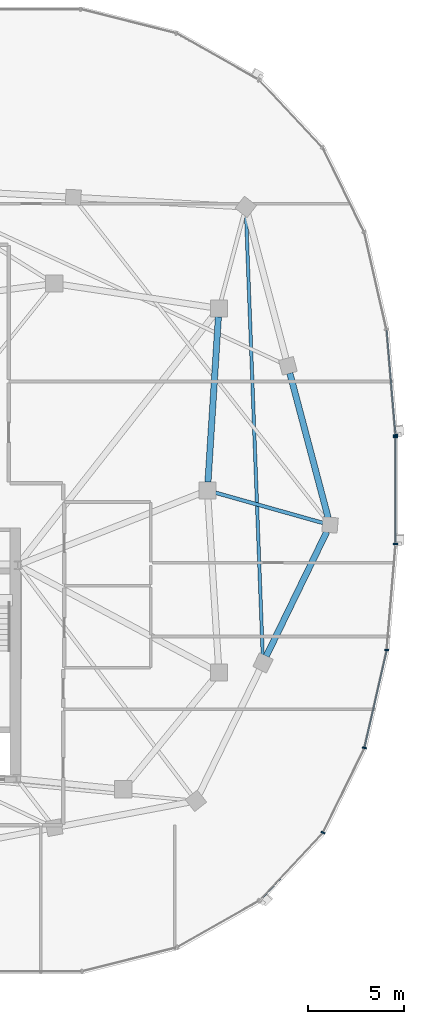
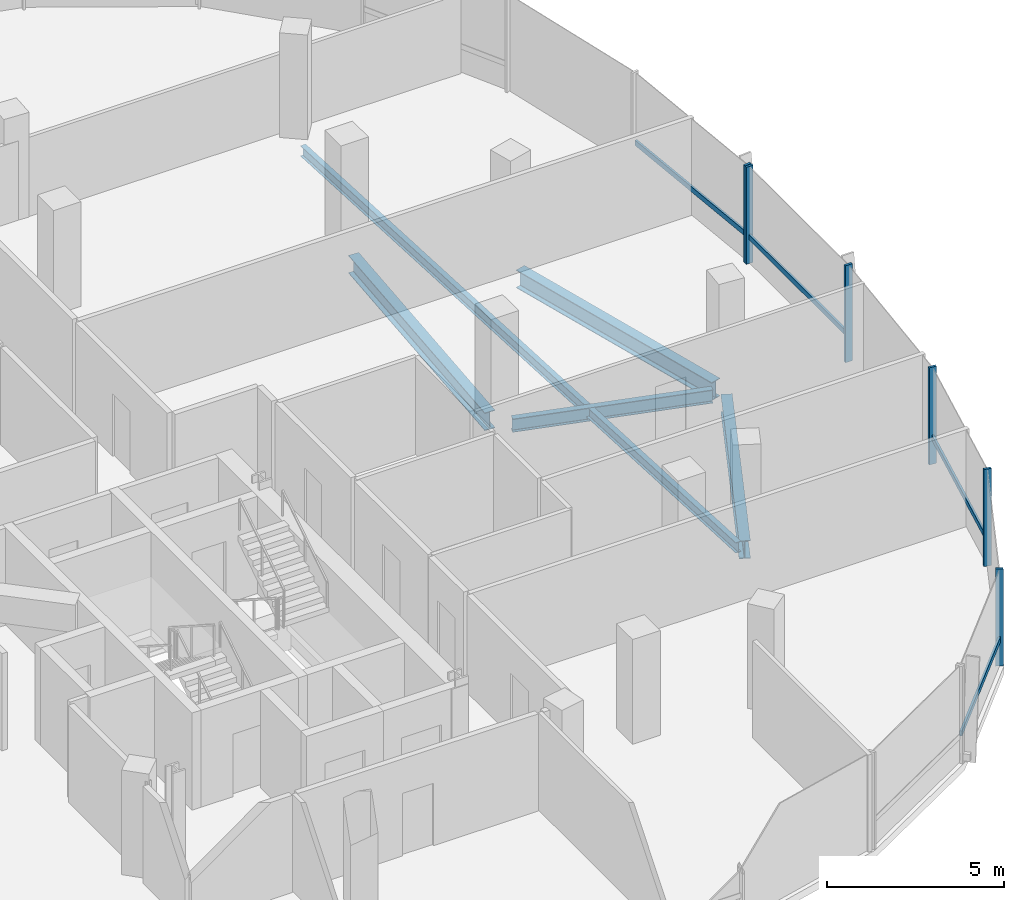
# One storey, part 9 of 26: 10 members, 5 beams, 2 elements without a shape of their own.
"""IFC4 building model written with IfcOpenShell, lengths in metres."""

from ifc_helpers import new_model, si_unit, direction, frame, origin, origin_2d, place, context, subcontext, project, spatial, rectangle, i_section, extrude, material, material_profile, profile_set, type_object, element, aggregate, save


model = new_model("IFC4")

# Units and contexts
model_context = context("Model", 3, precision=1e-05, world=origin(), true_north=direction((0.0, 1.0)))
body_context = subcontext(model_context, "Body", "Model", "MODEL_VIEW")
ifc_project = project(units=[si_unit("LENGTHUNIT", "METRE"), si_unit("AREAUNIT", "SQUARE_METRE"), si_unit("VOLUMEUNIT", "CUBIC_METRE"), si_unit("PLANEANGLEUNIT", "RADIAN"), si_unit("MASSUNIT", "GRAM", prefix="KILO"), si_unit("THERMODYNAMICTEMPERATUREUNIT", "KELVIN"), si_unit("POWERUNIT", "WATT")], contexts=[model_context])

# Site, building, storey
site_placement = place(None, origin())
site = spatial("IfcSite", under=ifc_project, at=site_placement, CompositionType="ELEMENT")
building_placement = place(site_placement, origin())
building = spatial("IfcBuilding", under=site, at=building_placement, Name="Cundina Bronze Exchange", CompositionType="ELEMENT")
storey_placement = place(building_placement, frame((0.0, 0.0, 264.800048828125)))
storey = spatial("IfcBuildingStorey", under=building, at=storey_placement, Name="L70", CompositionType="ELEMENT", Elevation=264.800048828125)

# Beams
ifc_material_1 = material(Name="Steel ASTM A992 Grade 50", Category="steel")
ifc_material_profile_1 = material_profile(ifc_material_1, i_section(OverallWidth=0.19091796875, OverallDepth=0.4599609375, WebThickness=0.010009765625, FlangeThickness=0.01611328125, FilletRadius=0.011962890625, at=origin_2d()), Name="W18X55", Category="steel")
ifc_profile_set_1 = profile_set([ifc_material_profile_1], Name="Steel ASTM A992 Grade 50")
beam_type_1 = type_object("IfcBeamType", Name="BM-FLR-W18B", PredefinedType="BEAM", material=ifc_profile_set_1)
beam_1_placement = place(storey_placement, frame((41.62158203125, -0.11865234375, -0.489990234375), z_axis=(0.962650257113, -0.270748005496, 0.0), x_axis=(0.270748005496, 0.962650257113, 0.0)))
element("IfcBeam", 1, at=beam_1_placement, inside=storey, type_object=beam_type_1, Name="L70 Leg E Chordal Floor Beam 08", PredefinedType="BEAM", context=body_context, shape_type="SweptSolid", body=[
    extrude(i_section(OverallWidth=0.19091796875, OverallDepth=0.4599609375, WebThickness=0.010009765625, FlangeThickness=0.01611328125, FilletRadius=0.011962890625, at=origin_2d()), origin(), (0.0, 0.0, 1.0), 5.822509765625),
])
ifc_material_profile_2 = material_profile(ifc_material_1, i_section(OverallWidth=0.172119140625, OverallDepth=0.35791015625, WebThickness=0.0078125, FlangeThickness=0.01318359375, FilletRadius=0.010009765625, at=origin_2d()), Name="W14X38", Category="steel")
ifc_profile_set_2 = profile_set([ifc_material_profile_2], Name="Steel ASTM A992 Grade 50")
beam_type_2 = type_object("IfcBeamType", Name="BM-JST-W14", PredefinedType="JOIST", material=ifc_profile_set_2)
beam_2_placement = place(storey_placement, frame((44.085205078125, -8.6123046875, -0.43896484375), z_axis=(-0.037784872152, 0.999285896746, 0.0), x_axis=(-0.999285896746, -0.037784872152, 0.0)))
element("IfcBeam", 2, at=beam_2_placement, inside=storey, type_object=beam_type_2, Name="L70 Leg E Lobe Floor Joist 07-10", PredefinedType="JOIST", context=body_context, shape_type="SweptSolid", body=[
    extrude(i_section(OverallWidth=0.172119140625, OverallDepth=0.35791015625, WebThickness=0.0078125, FlangeThickness=0.01318359375, FilletRadius=0.010009765625, at=origin_2d()), origin(), (0.0, 0.0, 1.0), 23.041015625),
])
ifc_material_profile_3 = material_profile(ifc_material_1, i_section(OverallWidth=0.324951171875, OverallDepth=0.615966796875, WebThickness=0.013916015625, FlangeThickness=0.021484375, FilletRadius=0.01611328125, at=origin_2d()), Name="W24X117", Category="steel")
ifc_profile_set_3 = profile_set([ifc_material_profile_3], Name="Steel ASTM A992 Grade 50")
beam_type_3 = type_object("IfcBeamType", Name="BM-RING-W24", PredefinedType="USERDEFINED", material=ifc_profile_set_3)
beam_3_placement = place(storey_placement, frame((41.2275390625, 0.43701171875, -0.568115234375), z_axis=(0.063046519736, 0.998010589297, 0.0), x_axis=(-0.998010589297, 0.063046519736, 0.0)))
element("IfcBeam", 3, at=beam_3_placement, inside=storey, type_object=beam_type_3, Name="L70 E Inner Structural Ring Girder 04", ObjectType="GIRDER", PredefinedType="USERDEFINED", context=body_context, shape_type="SweptSolid", body=[
    extrude(i_section(OverallWidth=0.324951171875, OverallDepth=0.615966796875, WebThickness=0.013916015625, FlangeThickness=0.021484375, FilletRadius=0.01611328125, at=origin_2d()), origin(), (0.0, 0.0, 1.0), 8.64306640625),
])
beam_4_placement = place(storey_placement, frame((44.26953125, -8.65087890625, -0.568115234375), z_axis=(0.437216986791, 0.899356050995, 0.0), x_axis=(-0.899356050995, 0.437216986791, 0.0)))
element("IfcBeam", 4, at=beam_4_placement, inside=storey, type_object=beam_type_3, Name="L70 E Perimeter Ring Girder 07", ObjectType="GIRDER", PredefinedType="USERDEFINED", context=body_context, shape_type="SweptSolid", body=[
    extrude(i_section(OverallWidth=0.324951171875, OverallDepth=0.615966796875, WebThickness=0.013916015625, FlangeThickness=0.021484375, FilletRadius=0.01611328125, at=origin_2d()), origin(), (0.0, 0.0, 1.0), 7.2294921875),
])
beam_5_placement = place(storey_placement, frame((47.50048828125, -1.425048828125, -0.568115234375), z_axis=(-0.256183793797, 0.966628089699, 0.0), x_axis=(-0.966628089699, -0.256183793797, 0.0)))
element("IfcBeam", 5, at=beam_5_placement, inside=storey, type_object=beam_type_3, Name="L70 E Perimeter Ring Girder 08", ObjectType="GIRDER", PredefinedType="USERDEFINED", context=body_context, shape_type="SweptSolid", body=[
    extrude(i_section(OverallWidth=0.324951171875, OverallDepth=0.615966796875, WebThickness=0.013916015625, FlangeThickness=0.021484375, FilletRadius=0.01611328125, at=origin_2d()), origin(), (0.0, 0.0, 1.0), 7.810791015625),
])

# Curtain wall, member
ifc_material_2 = material(Name="Anodised Bronze Aluminium 6063-T6", Category="aluminium")
curtain_wall_type = type_object("IfcCurtainWallType", Name="CWS-SKG-BRG", PredefinedType="NOTDEFINED", material=ifc_material_2)
curtain_wall_1_placement = place(storey_placement, origin())
curtain_wall_1 = element("IfcCurtainWall", 6, at=curtain_wall_1_placement, inside=storey, type_object=curtain_wall_type, Name="L70 CW-06 Curtain Wall Run CWR-L70-E1", PredefinedType="NOTDEFINED")
ifc_material_profile_4 = material_profile(ifc_material_2, rectangle(XDim=0.074951171875, YDim=0.219970703125, at=origin_2d()), Name="AL75X220", Category="aluminium")
ifc_profile_set_4 = profile_set([ifc_material_profile_4], Name="Anodised Bronze Aluminium 6063-T6")
member_type_1 = type_object("IfcMemberType", Name="CWM-MUL-220", PredefinedType="MULLION", material=ifc_profile_set_4)
member_1_placement = place(storey_placement, frame((51.01513671875, 2.885498046875, 0.0), z_axis=(0.0, 0.0, 1.0), x_axis=(-0.083677843332, 0.99649285925, 0.0)))
member_1 = element("IfcMember", 7, at=member_1_placement, type_object=member_type_1, Name="CW-06 Mullion 1", PredefinedType="MULLION", context=body_context, shape_type="SweptSolid", body=[
    extrude(rectangle(XDim=0.074951171875, YDim=0.219970703125, at=origin_2d()), origin(), (0.0, 0.0, 1.0), 3.33984375),
])

# Curtain wall, members
curtain_wall_2_placement = place(storey_placement, origin())
curtain_wall_2 = element("IfcCurtainWall", 8, at=curtain_wall_2_placement, inside=storey, type_object=curtain_wall_type, Name="L70 CW-06 Curtain Wall Run CWR-L70-E4", PredefinedType="NOTDEFINED")
member_2_placement = place(storey_placement, frame((47.2333984375, -17.856689453125, 0.0), z_axis=(0.0, 0.0, 1.0), x_axis=(0.440566004113, 0.897720221461, 0.0)))
member_2 = element("IfcMember", 9, at=member_2_placement, type_object=member_type_1, Name="CW-06 Mullion 2", PredefinedType="MULLION", context=body_context, shape_type="SweptSolid", body=[
    extrude(rectangle(XDim=0.074951171875, YDim=0.219970703125, at=origin_2d()), origin(), (0.0, 0.0, 1.0), 3.33984375),
])
member_3_placement = place(storey_placement, frame((49.39404296875, -13.433837890625, 0.0), z_axis=(0.0, 0.0, 1.0), x_axis=(0.223250116011, 0.974761194191, 0.0)))
member_3 = element("IfcMember", 10, at=member_3_placement, type_object=member_type_1, Name="CW-06 Mullion 3", PredefinedType="MULLION", context=body_context, shape_type="SweptSolid", body=[
    extrude(rectangle(XDim=0.074951171875, YDim=0.219970703125, at=origin_2d()), origin(), (0.0, 0.0, 1.0), 3.33984375),
])
member_4_placement = place(storey_placement, frame((50.557861328125, -8.32568359375, 0.0), z_axis=(0.0, 0.0, 1.0), x_axis=(0.083677843332, 0.99649285925, 0.0)))
member_4 = element("IfcMember", 11, at=member_4_placement, type_object=member_type_1, Name="CW-06 Mullion 4", PredefinedType="MULLION", context=body_context, shape_type="SweptSolid", body=[
    extrude(rectangle(XDim=0.074951171875, YDim=0.219970703125, at=origin_2d()), origin(), (0.0, 0.0, 1.0), 3.33984375),
])
member_5_placement = place(storey_placement, frame((51.01904296875, -2.79150390625, 0.0), z_axis=(0.0, 0.0, 1.0), x_axis=(0.0, 1.0, 0.0)))
member_5 = element("IfcMember", 12, at=member_5_placement, type_object=member_type_1, Name="CW-06 Mullion 5", PredefinedType="MULLION", context=body_context, shape_type="SweptSolid", body=[
    extrude(rectangle(XDim=0.074951171875, YDim=0.219970703125, at=origin_2d()), origin(), (0.0, 0.0, 1.0), 3.33984375),
])
member_6_placement = place(storey_placement, frame((51.01904296875, 2.79150390625, 0.0), z_axis=(0.0, 0.0, 1.0), x_axis=(0.0, 1.0, 0.0)))
member_6 = element("IfcMember", 13, at=member_6_placement, type_object=member_type_1, Name="CW-06 End Mullion", PredefinedType="MULLION", context=body_context, shape_type="SweptSolid", body=[
    extrude(rectangle(XDim=0.074951171875, YDim=0.219970703125, at=origin_2d()), origin(), (0.0, 0.0, 1.0), 3.33984375),
])

# Member
ifc_material_profile_5 = material_profile(ifc_material_2, rectangle(XDim=0.070068359375, YDim=0.179931640625, at=origin_2d()), Name="AL70X180", Category="aluminium")
ifc_profile_set_5 = profile_set([ifc_material_profile_5], Name="Anodised Bronze Aluminium 6063-T6")
member_type_2 = type_object("IfcMemberType", Name="CWM-TRN-180", PredefinedType="USERDEFINED", material=ifc_profile_set_5)
member_7_placement = place(storey_placement, frame((51.01171875, 2.926513671875, 0.919921875), z_axis=(-0.083756005485, 0.996486292703, 0.0), x_axis=(-0.996486292703, -0.083756005485, 0.0)))
member_7 = element("IfcMember", 14, at=member_7_placement, type_object=member_type_2, Name="CW-06 Spandrel Transom 1", ObjectType="TRANSOM", PredefinedType="USERDEFINED", context=body_context, shape_type="SweptSolid", body=[
    extrude(rectangle(XDim=0.070068359375, YDim=0.179931640625, at=origin_2d()), origin(), (0.0, 0.0, 1.0), 5.459716796875),
])

aggregate(curtain_wall_1, [member_1, member_7])

member_8_placement = place(storey_placement, frame((43.968505859375, -21.349609375, 0.919921875), z_axis=(0.684328474899, 0.729173873944, 0.0), x_axis=(-0.729173873944, 0.684328474899, 0.0)))
member_8 = element("IfcMember", 15, at=member_8_placement, type_object=member_type_2, Name="CW-06 Spandrel Transom 1", ObjectType="TRANSOM", PredefinedType="USERDEFINED", context=body_context, shape_type="SweptSolid", body=[
    extrude(rectangle(XDim=0.070068359375, YDim=0.179931640625, at=origin_2d()), origin(), (0.0, 0.0, 1.0), 4.758056640625),
])

member_9_placement = place(storey_placement, frame((49.4033203125, -13.3935546875, 0.919921875), z_axis=(0.223257048806, 0.974759606343, 0.0), x_axis=(-0.974759606343, 0.223257048806, 0.0)))
member_9 = element("IfcMember", 16, at=member_9_placement, type_object=member_type_2, Name="CW-06 Spandrel Transom 3", ObjectType="TRANSOM", PredefinedType="USERDEFINED", context=body_context, shape_type="SweptSolid", body=[
    extrude(rectangle(XDim=0.070068359375, YDim=0.179931640625, at=origin_2d()), origin(), (0.0, 0.0, 1.0), 5.15283203125),
])

member_10_placement = place(storey_placement, frame((51.01904296875, -2.750244140625, 0.919921875), z_axis=(0.0, 1.0, 0.0), x_axis=(-1.0, 0.0, 0.0)))
member_10 = element("IfcMember", 17, at=member_10_placement, type_object=member_type_2, Name="CW-06 Spandrel Transom 5", ObjectType="TRANSOM", PredefinedType="USERDEFINED", context=body_context, shape_type="SweptSolid", body=[
    extrude(rectangle(XDim=0.070068359375, YDim=0.179931640625, at=origin_2d()), origin(), (0.0, 0.0, 1.0), 5.50048828125),
])

aggregate(curtain_wall_2, [member_8, member_2, member_3, member_9, member_4, member_5, member_6, member_10])

save(model, "model.ifc")
